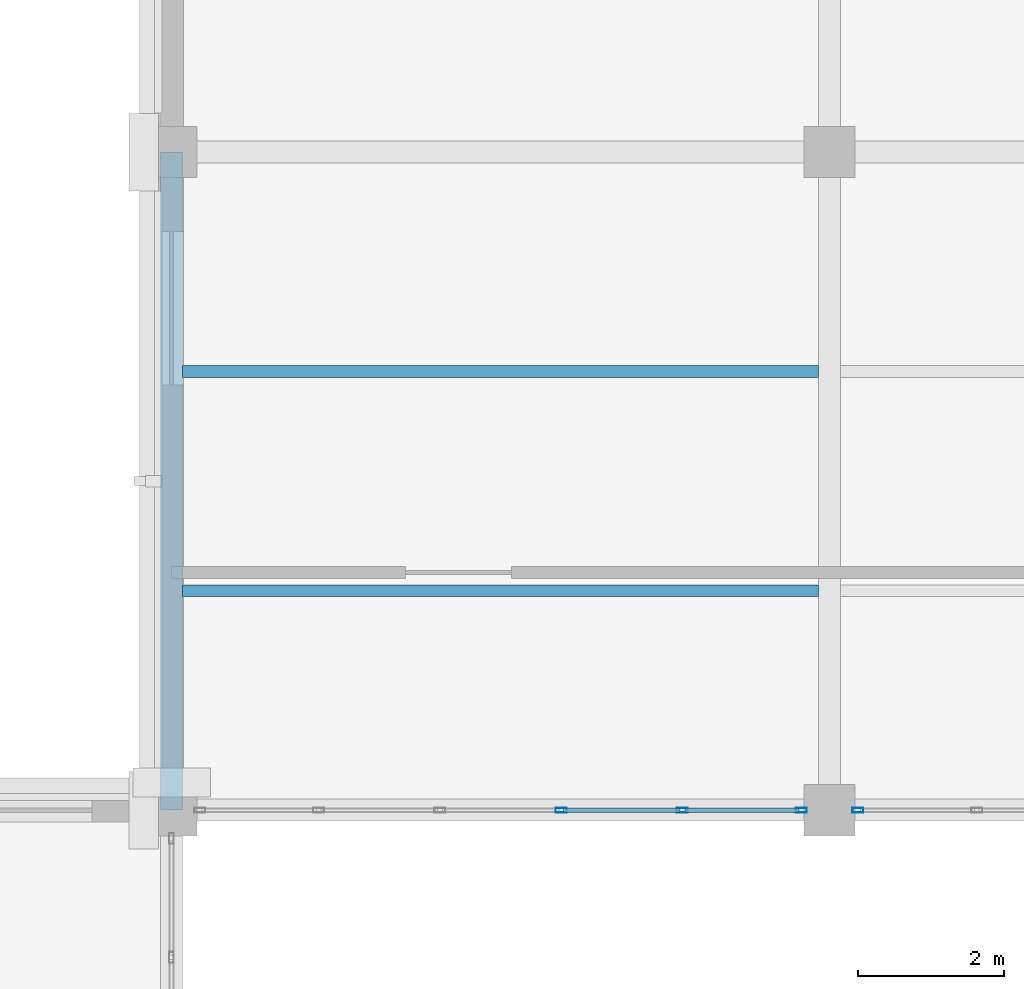
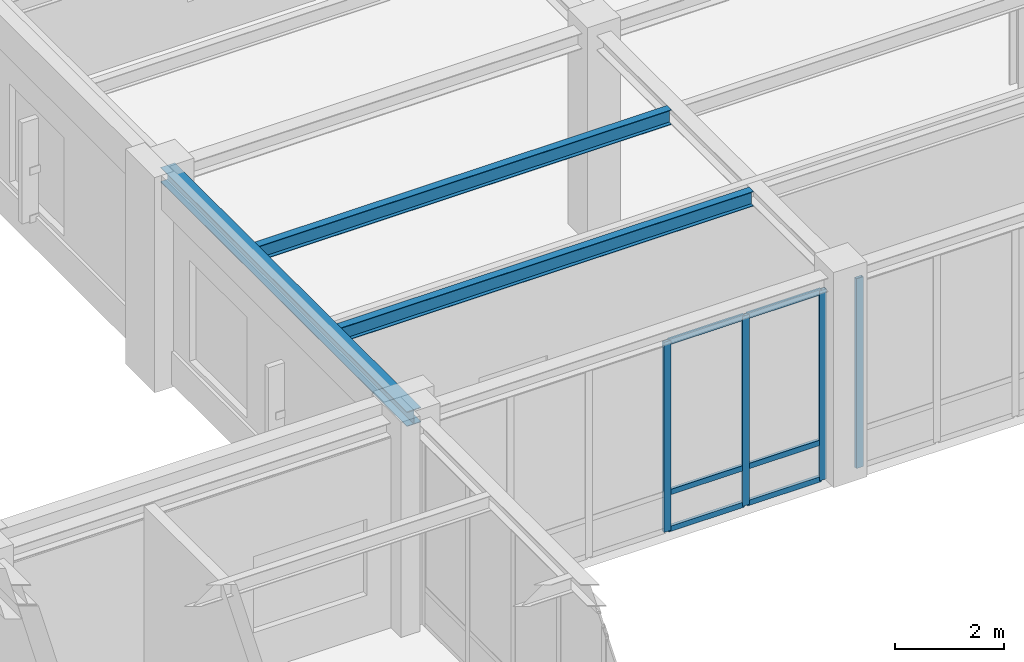
# One storey, part 44 of 98: 10 members, 3 beams, 2 elements without a shape of their own.
"""IFC4 building model written with IfcOpenShell, lengths in metres."""

import ifcopenshell
import ifcopenshell.guid

model = None  # the IFC model being written
_history = None  # IfcOwnerHistory: only IFC2X3 demands one
_inside = {}  # id of a spatial element -> (the spatial element, [elements in it])
_under = {}  # id of a project, library or spatial element -> (it, [spatial elements below it])
_declared = {}  # id of a project -> (the project, [libraries it declares])
_typed = {}  # id of a type object -> (the type object, [elements of that type])
_made_of = {}  # id of a material, layer set ... -> (it, [elements and type objects made of it])


def new_model(schema):
    """Start an empty IFC model of exactly this schema.

    Asked for "IFC4X3", IfcOpenShell would pick the latest addendum, in which some entities
    have other attributes; the version numbers below select the first issue.
    IFC2X3 requires an IfcOwnerHistory on every rooted entity: one is made here for all.
    """
    global model, _history
    if schema == "IFC4X3":
        model = ifcopenshell.file(schema_version=(4, 3, 0, 0))
    else:
        model = ifcopenshell.file(schema=schema)
    _inside.clear()
    _under.clear()
    _declared.clear()
    _typed.clear()
    _made_of.clear()
    _history = None
    if model.schema == "IFC2X3":
        org = make("IfcOrganization", Name="unknown")
        user = make(
            "IfcPersonAndOrganization",
            ThePerson=make("IfcPerson", FamilyName="unknown"),
            TheOrganization=org,
        )
        app = make(
            "IfcApplication",
            ApplicationDeveloper=org,
            Version="unknown",
            ApplicationFullName="unknown",
            ApplicationIdentifier="unknown",
        )
        _history = make(
            "IfcOwnerHistory",
            OwningUser=user,
            OwningApplication=app,
            ChangeAction="ADDED",
            CreationDate=0,
        )
    return model


def make(cls, **values):
    """One entity of the class cls with the attributes given. An attribute that is None is left unset."""
    return model.create_entity(
        cls, **{name: value for name, value in values.items() if value is not None}
    )


def rooted(cls, **values):
    """An entity with a GlobalId (a new one), such as an element, a storey or a relation."""
    return make(cls, GlobalId=ifcopenshell.guid.new(), OwnerHistory=_history, **values)


def si_unit(unit_type, name, prefix=None):
    """IfcSIUnit, for example si_unit("LENGTHUNIT", "METRE", prefix="MILLI")."""
    return make("IfcSIUnit", UnitType=unit_type, Prefix=prefix, Name=name)


def assignment(units):
    """IfcUnitAssignment: the units of a project."""
    return None if units is None else make("IfcUnitAssignment", Units=units)


def point(xyz):
    """IfcCartesianPoint."""
    return None if xyz is None else make("IfcCartesianPoint", Coordinates=xyz)


def direction(xyz):
    """IfcDirection."""
    return None if xyz is None else make("IfcDirection", DirectionRatios=xyz)


def frame(location, z_axis=None, x_axis=None):
    """IfcAxis2Placement3D, a coordinate frame: its origin and axes. An axis left out is left unset."""
    return make(
        "IfcAxis2Placement3D",
        Location=point(location),
        Axis=direction(z_axis),
        RefDirection=direction(x_axis),
    )


def frame_2d(location, x_axis=None):
    """IfcAxis2Placement2D, a coordinate frame in the plane: its origin and x axis."""
    return make(
        "IfcAxis2Placement2D", Location=point(location), RefDirection=direction(x_axis)
    )


def origin():
    """The frame at (0, 0, 0) with its axes left unset."""
    return frame((0.0, 0.0, 0.0))


def origin_2d():
    """The frame at (0, 0) in the plane with its x axis left unset."""
    return frame_2d((0.0, 0.0))


def place(relative_to, where):
    """IfcLocalPlacement: puts the frame where relative to a parent placement (None: the world)."""
    return make(
        "IfcLocalPlacement", PlacementRelTo=relative_to, RelativePlacement=where
    )


def context(
    kind, dimensions, precision=None, world=None, true_north=None, identifier=None
):
    """IfcGeometricRepresentationContext, for example the 3D "Model" context."""
    return make(
        "IfcGeometricRepresentationContext",
        ContextIdentifier=identifier,
        ContextType=kind,
        CoordinateSpaceDimension=dimensions,
        Precision=precision,
        WorldCoordinateSystem=world,
        TrueNorth=true_north,
    )


def subcontext(parent, identifier, kind, view, scale=None):
    """IfcGeometricRepresentationSubContext, for example "Body" below "Model"."""
    return make(
        "IfcGeometricRepresentationSubContext",
        ContextIdentifier=identifier,
        ContextType=kind,
        ParentContext=parent,
        TargetScale=scale,
        TargetView=view,
    )


def project(units=None, contexts=None):
    """IfcProject with its units and contexts."""
    return rooted(
        "IfcProject",
        Name="project",
        RepresentationContexts=contexts,
        UnitsInContext=assignment(units),
    )


def spatial(cls, under=None, at=None, **own):
    """A site, building, storey or space (cls), placed at a placement, below another one or the project."""
    s = rooted(cls, ObjectPlacement=at, **own)
    if under is not None:
        _under.setdefault(under.id(), (under, []))[1].append(s)
    return s


def profile(cls, at=None, kind="AREA", **sizes):
    """A parametric profile (cls). Its sizes go by their IFC names, for example OverallWidth=200.0."""
    return make(cls, ProfileType=kind, Position=at, **sizes)


def hollow_rectangle(**sizes):
    """IfcRectangleHollowProfileDef."""
    return profile("IfcRectangleHollowProfileDef", **sizes)


def i_section(**sizes):
    """IfcIShapeProfileDef."""
    return profile("IfcIShapeProfileDef", **sizes)


def extrude(swept, where, along, depth):
    """IfcExtrudedAreaSolid: the profile swept, set in the frame where, extruded along a direction by depth."""
    return make(
        "IfcExtrudedAreaSolid",
        SweptArea=swept,
        Position=where,
        ExtrudedDirection=direction(along),
        Depth=depth,
    )


def shape(context_of_items, identifier, shape_type, items):
    """IfcShapeRepresentation: the items that make up one representation, for example the "Body"."""
    return make(
        "IfcShapeRepresentation",
        ContextOfItems=context_of_items,
        RepresentationIdentifier=identifier,
        RepresentationType=shape_type,
        Items=items,
    )


def material(Name=None, Category=None):
    """IfcMaterial."""
    return make("IfcMaterial", Name=Name, Category=Category)


def material_profile(
    of_material, cross_section, Name=None, Category=None, Priority=None
):
    """IfcMaterialProfile: a cross section and its material."""
    return make(
        "IfcMaterialProfile",
        Name=Name,
        Material=of_material,
        Profile=cross_section,
        Priority=Priority,
        Category=Category,
    )


def profile_set(profiles, Name=None, composite=None):
    """IfcMaterialProfileSet."""
    return make(
        "IfcMaterialProfileSet",
        Name=Name,
        MaterialProfiles=profiles,
        CompositeProfile=composite,
    )


def made_of(thing, what):
    """Note that an element or type object is made of a material, layer set ...; save() writes the relation."""
    if what is not None:
        _made_of.setdefault(what.id(), (what, []))[1].append(thing)
    return thing


def type_object(cls, material=None, **own):
    """A type object (cls), such as IfcWallType, which elements share."""
    return made_of(rooted(cls, **own), material)


def element(
    cls,
    number,
    at=None,
    inside=None,
    cuts=None,
    type_object=None,
    material=None,
    context=None,
    identifier="Body",
    shape_type=None,
    held_by="IfcProductDefinitionShape",
    body=None,
    shapes=None,
    **own,
):
    """One element of the class cls, such as IfcWall. Its Tag is "e" and its number.

    at: its placement. inside: the storey or other place that contains it. cuts: it is an
    opening in that element (IfcRelVoidsElement). A single representation is given by context,
    identifier, shape_type and body (its items); several are given by shapes. held_by: the class
    of the entity that holds the representations. save() writes the other relations.
    """
    e = rooted(cls, Tag="e%d" % number, ObjectPlacement=at, **own)
    if body is not None:
        shapes = [shape(context, identifier, shape_type, body)]
    if shapes is not None:
        e.Representation = make(held_by, Representations=shapes)
    if inside is not None:
        _inside.setdefault(inside.id(), (inside, []))[1].append(e)
    if cuts is not None:
        rooted(
            "IfcRelVoidsElement", RelatingBuildingElement=cuts, RelatedOpeningElement=e
        )
    if type_object is not None:
        _typed.setdefault(type_object.id(), (type_object, []))[1].append(e)
    return made_of(e, material)


def aggregate(whole, parts):
    """IfcRelAggregates: a whole, such as a stair, and the parts it consists of."""
    return rooted("IfcRelAggregates", RelatingObject=whole, RelatedObjects=parts)


def save(model, path):
    """Write the relations noted so far, then the file.

    IfcRelAggregates (storeys below a building ...), IfcRelContainedInSpatialStructure (elements
    in a storey), IfcRelDefinesByType, IfcRelAssociatesMaterial and IfcRelDeclares: one each for
    every whole, place, type object, material and project.
    """
    for whole, parts in _under.values():
        aggregate(whole, parts)
    for where, things in _inside.values():
        rooted(
            "IfcRelContainedInSpatialStructure",
            RelatedElements=things,
            RelatingStructure=where,
        )
    for kind, things in _typed.values():
        rooted("IfcRelDefinesByType", RelatedObjects=things, RelatingType=kind)
    for what, things in _made_of.values():
        rooted("IfcRelAssociatesMaterial", RelatedObjects=things, RelatingMaterial=what)
    for by, libraries in _declared.values():
        rooted("IfcRelDeclares", RelatingContext=by, RelatedDefinitions=libraries)
    model.write(path)


model = new_model("IFC4")

# Units and contexts
model_context = context("Model", 3, precision=1e-05, world=origin(), true_north=direction((0.0, 1.0)))
body_context = subcontext(model_context, "Body", "Model", "MODEL_VIEW")
ifc_project = project(units=[si_unit("LENGTHUNIT", "METRE"), si_unit("AREAUNIT", "SQUARE_METRE"), si_unit("VOLUMEUNIT", "CUBIC_METRE"), si_unit("PLANEANGLEUNIT", "RADIAN"), si_unit("MASSUNIT", "GRAM", prefix="KILO")], contexts=[model_context])

# Site, building, storey
site_placement = place(None, origin())
site = spatial("IfcSite", under=ifc_project, at=site_placement, CompositionType="ELEMENT")
building_placement = place(site_placement, origin())
building = spatial("IfcBuilding", under=site, at=building_placement, Name="Lykobir Media Centre", CompositionType="ELEMENT")
storey_placement = place(building_placement, frame((0.0, 0.0, 10.199951171875)))
storey = spatial("IfcBuildingStorey", under=building, at=storey_placement, Name="L02", CompositionType="ELEMENT", Elevation=10.199951171875)

# Beam
ifc_material_1 = material(Name="Steel S355", Category="steel")
ifc_material_profile_1 = material_profile(ifc_material_1, i_section(OverallWidth=0.300048828125, OverallDepth=0.330078125, WebThickness=0.009521484375, FlangeThickness=0.0166015625, at=origin_2d()), Name="HEA 340")
ifc_profile_set_1 = profile_set([ifc_material_profile_1], Name="Steel S355")
beam_type_1 = type_object("IfcBeamType", Name="BM-HEA340", PredefinedType="BEAM", material=ifc_profile_set_1)
beam_placement = place(storey_placement, frame((99.0, 72.0, 4.39501953125), z_axis=(0.0, 1.0, 0.0), x_axis=(-1.0, 0.0, 0.0)))
element("IfcBeam", 1, at=beam_placement, inside=storey, type_object=beam_type_1, Name="Beam BM-L02-0990-0720-0990-0810-1460", PredefinedType="BEAM", context=body_context, shape_type="SweptSolid", body=[
    extrude(i_section(OverallWidth=0.300048828125, OverallDepth=0.330078125, WebThickness=0.009521484375, FlangeThickness=0.0166015625, at=origin_2d()), origin(), (0.0, 0.0, 1.0), 9.0),
])

# Curtain wall, members
ifc_material_2 = material(Name="Anodized Aluminium AW-6060", Category="aluminium")
curtain_wall_type = type_object("IfcCurtainWallType", Name="CW-COURT-A", PredefinedType="NOTDEFINED", material=ifc_material_2)
curtain_wall_1_placement = place(storey_placement, origin())
curtain_wall_1 = element("IfcCurtainWall", 2, at=curtain_wall_1_placement, inside=storey, type_object=curtain_wall_type, Name="Curtain wall CW2-L02-0108", PredefinedType="NOTDEFINED")
ifc_material_profile_2 = material_profile(ifc_material_2, hollow_rectangle(XDim=0.06494140625, YDim=0.14990234375, WallThickness=0.00341796875, at=origin_2d()), Name="ALU MULLION 65x150")
ifc_profile_set_2 = profile_set([ifc_material_profile_2], Name="Anodized Aluminium AW-6060")
member_type_1 = type_object("IfcMemberType", Name="CWM-150", PredefinedType="MULLION", material=ifc_profile_set_2)
member_1_placement = place(storey_placement, frame((107.612548828125, 72.0, 0.0), z_axis=(0.0, 0.0, 1.0), x_axis=(0.0, -1.0, 0.0)))
member_1 = element("IfcMember", 3, at=member_1_placement, type_object=member_type_1, Name="CW2-L02-0108 mullion 1", PredefinedType="MULLION", context=body_context, shape_type="SweptSolid", body=[
    extrude(hollow_rectangle(XDim=0.06494140625, YDim=0.14990234375, WallThickness=0.00341796875, at=origin_2d()), origin(), (0.0, 0.0, 1.0), 4.235107421875),
])
member_2_placement = place(storey_placement, frame((105.987060546875, 72.0, 0.0), z_axis=(0.0, 0.0, 1.0), x_axis=(0.0, -1.0, 0.0)))
member_2 = element("IfcMember", 4, at=member_2_placement, type_object=member_type_1, Name="CW2-L02-0108 mullion 2", PredefinedType="MULLION", context=body_context, shape_type="SweptSolid", body=[
    extrude(hollow_rectangle(XDim=0.06494140625, YDim=0.14990234375, WallThickness=0.00341796875, at=origin_2d()), origin(), (0.0, 0.0, 1.0), 4.235107421875),
])
member_3_placement = place(storey_placement, frame((104.3291015625, 72.0, 0.0), z_axis=(0.0, 0.0, 1.0), x_axis=(0.0, -1.0, 0.0)))
member_3 = element("IfcMember", 5, at=member_3_placement, type_object=member_type_1, Name="CW2-L02-0108 mullion 3", PredefinedType="MULLION", context=body_context, shape_type="SweptSolid", body=[
    extrude(hollow_rectangle(XDim=0.06494140625, YDim=0.14990234375, WallThickness=0.00341796875, at=origin_2d()), origin(), (0.0, 0.0, 1.0), 4.235107421875),
])

# Curtain wall, member
curtain_wall_2_placement = place(storey_placement, origin())
curtain_wall_2 = element("IfcCurtainWall", 6, at=curtain_wall_2_placement, inside=storey, type_object=curtain_wall_type, Name="Curtain wall CW2-L02-0109", PredefinedType="NOTDEFINED")
member_4_placement = place(storey_placement, frame((108.387451171875, 72.0, 0.0), z_axis=(0.0, 0.0, 1.0), x_axis=(0.0, -1.0, 0.0)))
member_4 = element("IfcMember", 7, at=member_4_placement, type_object=member_type_1, Name="CW2-L02-0109 mullion 6", PredefinedType="MULLION", context=body_context, shape_type="SweptSolid", body=[
    extrude(hollow_rectangle(XDim=0.06494140625, YDim=0.14990234375, WallThickness=0.00341796875, at=origin_2d()), origin(), (0.0, 0.0, 1.0), 4.235107421875),
])
aggregate(curtain_wall_2, [member_4])

# Member
ifc_material_profile_3 = material_profile(ifc_material_2, hollow_rectangle(XDim=0.06494140625, YDim=0.1201171875, WallThickness=0.0029296875, at=origin_2d()), Name="ALU TRANSOM 65x120")
ifc_profile_set_3 = profile_set([ifc_material_profile_3], Name="Anodized Aluminium AW-6060")
member_type_2 = type_object("IfcMemberType", Name="CWT-120", PredefinedType="USERDEFINED", material=ifc_profile_set_3)
member_5_placement = place(storey_placement, frame((107.580078125, 72.0, 0.032470703125), z_axis=(-1.0, 0.0, 0.0), x_axis=(0.0, -1.0, 0.0)))
member_5 = element("IfcMember", 8, at=member_5_placement, type_object=member_type_2, Name="CW2-L02-0108 transom 1.1", ObjectType="TRANSOM", PredefinedType="USERDEFINED", context=body_context, shape_type="SweptSolid", body=[
    extrude(hollow_rectangle(XDim=0.06494140625, YDim=0.1201171875, WallThickness=0.0029296875, at=origin_2d()), origin(), (0.0, 0.0, 1.0), 1.560546875),
])

member_6_placement = place(storey_placement, frame((107.580078125, 72.0, 0.85009765625), z_axis=(-1.0, 0.0, 0.0), x_axis=(0.0, -1.0, 0.0)))
member_6 = element("IfcMember", 9, at=member_6_placement, type_object=member_type_2, Name="CW2-L02-0108 transom 1.2", ObjectType="TRANSOM", PredefinedType="USERDEFINED", context=body_context, shape_type="SweptSolid", body=[
    extrude(hollow_rectangle(XDim=0.06494140625, YDim=0.1201171875, WallThickness=0.0029296875, at=origin_2d()), origin(), (0.0, 0.0, 1.0), 1.560546875),
])

member_7_placement = place(storey_placement, frame((107.580078125, 72.0, 4.20263671875), z_axis=(-1.0, 0.0, 0.0), x_axis=(0.0, -1.0, 0.0)))
member_7 = element("IfcMember", 10, at=member_7_placement, type_object=member_type_2, Name="CW2-L02-0108 transom 1.3", ObjectType="TRANSOM", PredefinedType="USERDEFINED", context=body_context, shape_type="SweptSolid", body=[
    extrude(hollow_rectangle(XDim=0.06494140625, YDim=0.1201171875, WallThickness=0.0029296875, at=origin_2d()), origin(), (0.0, 0.0, 1.0), 1.560546875),
])

member_8_placement = place(storey_placement, frame((105.95458984375, 72.0, 0.032470703125), z_axis=(-1.0, 0.0, 0.0), x_axis=(0.0, -1.0, 0.0)))
member_8 = element("IfcMember", 11, at=member_8_placement, type_object=member_type_2, Name="CW2-L02-0108 transom 2.1", ObjectType="TRANSOM", PredefinedType="USERDEFINED", context=body_context, shape_type="SweptSolid", body=[
    extrude(hollow_rectangle(XDim=0.06494140625, YDim=0.1201171875, WallThickness=0.0029296875, at=origin_2d()), origin(), (0.0, 0.0, 1.0), 1.593017578125),
])

member_9_placement = place(storey_placement, frame((105.95458984375, 72.0, 0.85009765625), z_axis=(-1.0, 0.0, 0.0), x_axis=(0.0, -1.0, 0.0)))
member_9 = element("IfcMember", 12, at=member_9_placement, type_object=member_type_2, Name="CW2-L02-0108 transom 2.2", ObjectType="TRANSOM", PredefinedType="USERDEFINED", context=body_context, shape_type="SweptSolid", body=[
    extrude(hollow_rectangle(XDim=0.06494140625, YDim=0.1201171875, WallThickness=0.0029296875, at=origin_2d()), origin(), (0.0, 0.0, 1.0), 1.593017578125),
])

member_10_placement = place(storey_placement, frame((105.95458984375, 72.0, 4.20263671875), z_axis=(-1.0, 0.0, 0.0), x_axis=(0.0, -1.0, 0.0)))
member_10 = element("IfcMember", 13, at=member_10_placement, type_object=member_type_2, Name="CW2-L02-0108 transom 2.3", ObjectType="TRANSOM", PredefinedType="USERDEFINED", context=body_context, shape_type="SweptSolid", body=[
    extrude(hollow_rectangle(XDim=0.06494140625, YDim=0.1201171875, WallThickness=0.0029296875, at=origin_2d()), origin(), (0.0, 0.0, 1.0), 1.593017578125),
])

aggregate(curtain_wall_1, [member_1, member_2, member_3, member_5, member_6, member_7, member_8, member_9, member_10])

# Beams
ifc_material_profile_4 = material_profile(ifc_material_1, i_section(OverallWidth=0.159912109375, OverallDepth=0.330078125, WebThickness=0.007568359375, FlangeThickness=0.011474609375, at=origin_2d()), Name="IPE 330")
ifc_profile_set_4 = profile_set([ifc_material_profile_4], Name="Steel S355")
beam_type_2 = type_object("IfcBeamType", Name="JS-IPE330", PredefinedType="JOIST", material=ifc_profile_set_4)
for number, where, z_axis, x_axis, name in (
    (14, (99.14990234375, 75.0, 4.39501953125), (1.0, 0.0, 0.0), (0.0, 1.0, 0.0), "Beam BM-L02-0992-0750-1078-0750-1460"),
    (15, (99.14990234375, 78.0, 4.39501953125), (1.0, 0.0, 0.0), (0.0, 1.0, 0.0), "Beam BM-L02-0992-0780-1078-0780-1460"),
):
    element("IfcBeam", number, at=place(storey_placement, frame(where, z_axis=z_axis, x_axis=x_axis)), inside=storey, type_object=beam_type_2, Name=name, PredefinedType="JOIST", context=body_context, shape_type="SweptSolid", body=[
        extrude(i_section(OverallWidth=0.159912109375, OverallDepth=0.330078125, WebThickness=0.007568359375, FlangeThickness=0.011474609375, at=origin_2d()), origin(), (0.0, 0.0, 1.0), 8.7001953125),
    ])

save(model, "model.ifc")
